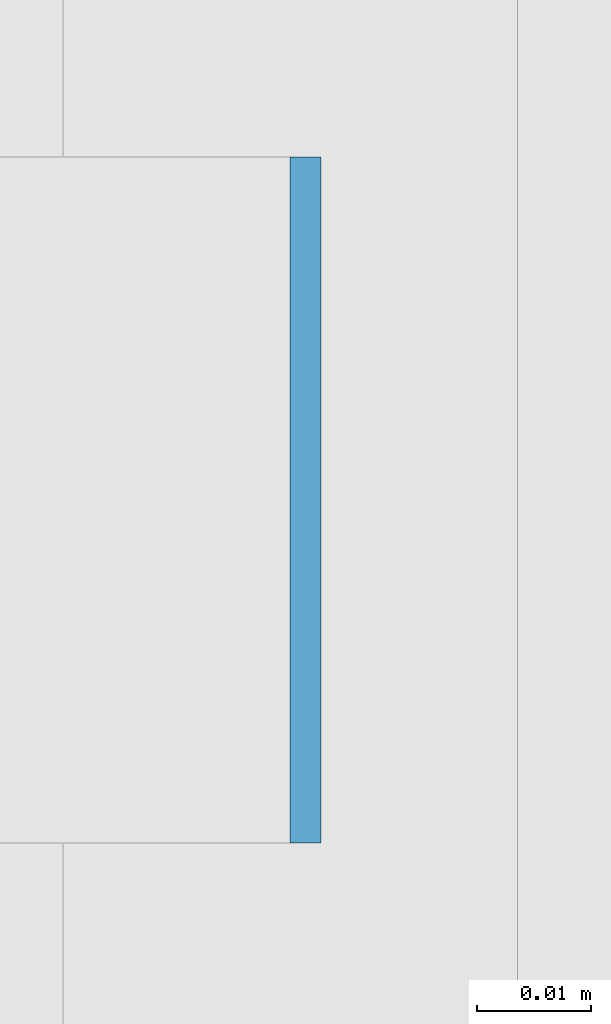
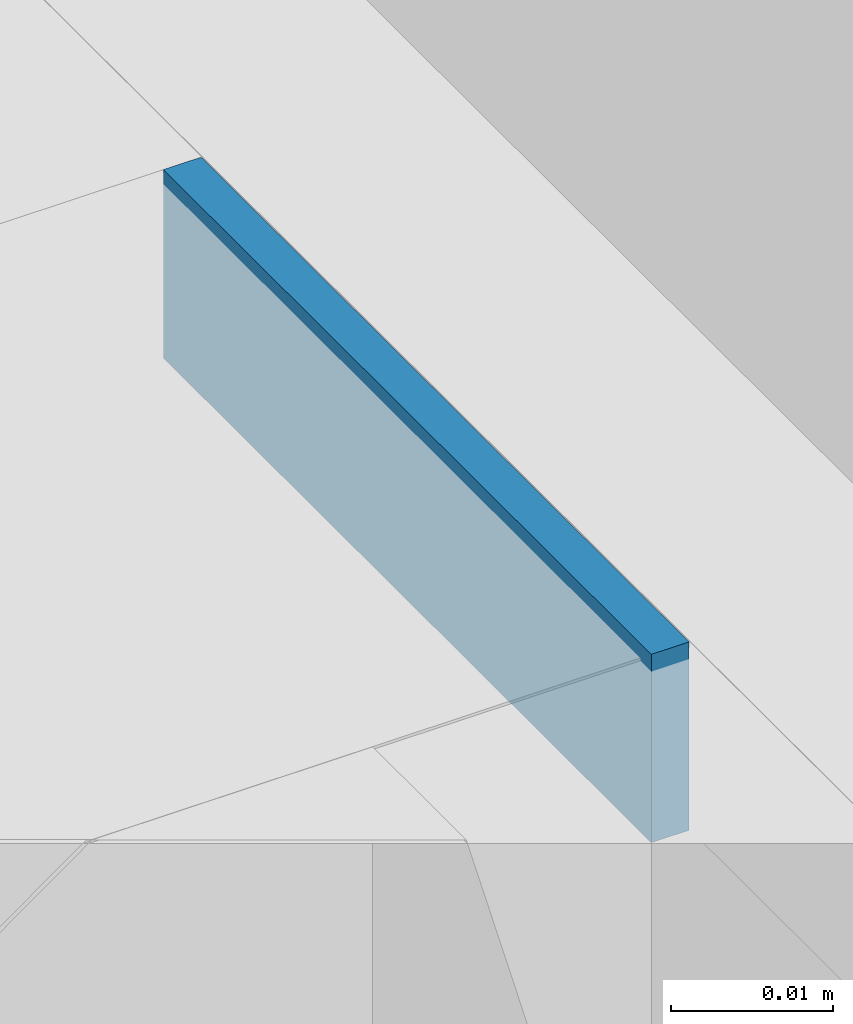
# One storey, part 371 of 646: 1 discrete accessory.
"""IFC4 building model written with IfcOpenShell, lengths in metres."""

from ifc_helpers import new_model, si_unit, direction, frame, origin, origin_2d, place, context, subcontext, project, spatial, rectangle, extrude, material, type_object, element, save


model = new_model("IFC4")

# Units and contexts
model_context = context("Model", 3, precision=1e-05, world=origin(), true_north=direction((0.0, 1.0)))
body_context = subcontext(model_context, "Body", "Model", "MODEL_VIEW")
ifc_project = project(units=[si_unit("LENGTHUNIT", "METRE"), si_unit("AREAUNIT", "SQUARE_METRE"), si_unit("VOLUMEUNIT", "CUBIC_METRE"), si_unit("PLANEANGLEUNIT", "RADIAN"), si_unit("MASSUNIT", "GRAM", prefix="KILO")], contexts=[model_context])

# Site, building, storey
site_placement = place(None, origin())
site = spatial("IfcSite", under=ifc_project, at=site_placement, CompositionType="ELEMENT")
building_placement = place(site_placement, origin())
building = spatial("IfcBuilding", under=site, at=building_placement, Name="Silverbay Arena", CompositionType="ELEMENT")
storey_placement = place(building_placement, frame((0.0, 0.0, 33.5)))
storey = spatial("IfcBuildingStorey", under=building, at=storey_placement, Name="L05", CompositionType="ELEMENT", Elevation=33.5)

# Discrete accessory
ifc_material = material(Name="Steel S355", Category="steel")
discrete_accessory_type = type_object("IfcDiscreteAccessoryType", Name="Steel bracket plate", PredefinedType="BRACKET", material=ifc_material)
discrete_accessory_placement = place(storey_placement, frame((53.871337890625, 102.857177734375, 12.98583984375), z_axis=(0.0, 0.0, 1.0), x_axis=(1.0, 0.0, 0.0)))
element("IfcDiscreteAccessory", 1, at=discrete_accessory_placement, inside=storey, type_object=discrete_accessory_type, Name="Curtain wall packing plate", PredefinedType="BRACKET", context=body_context, shape_type="SweptSolid", body=[
    extrude(rectangle(XDim=0.002685546875, YDim=0.06005859375, at=origin_2d()), origin(), (0.0, 0.0, 1.0), 0.01416015625),
])

save(model, "model.ifc")
